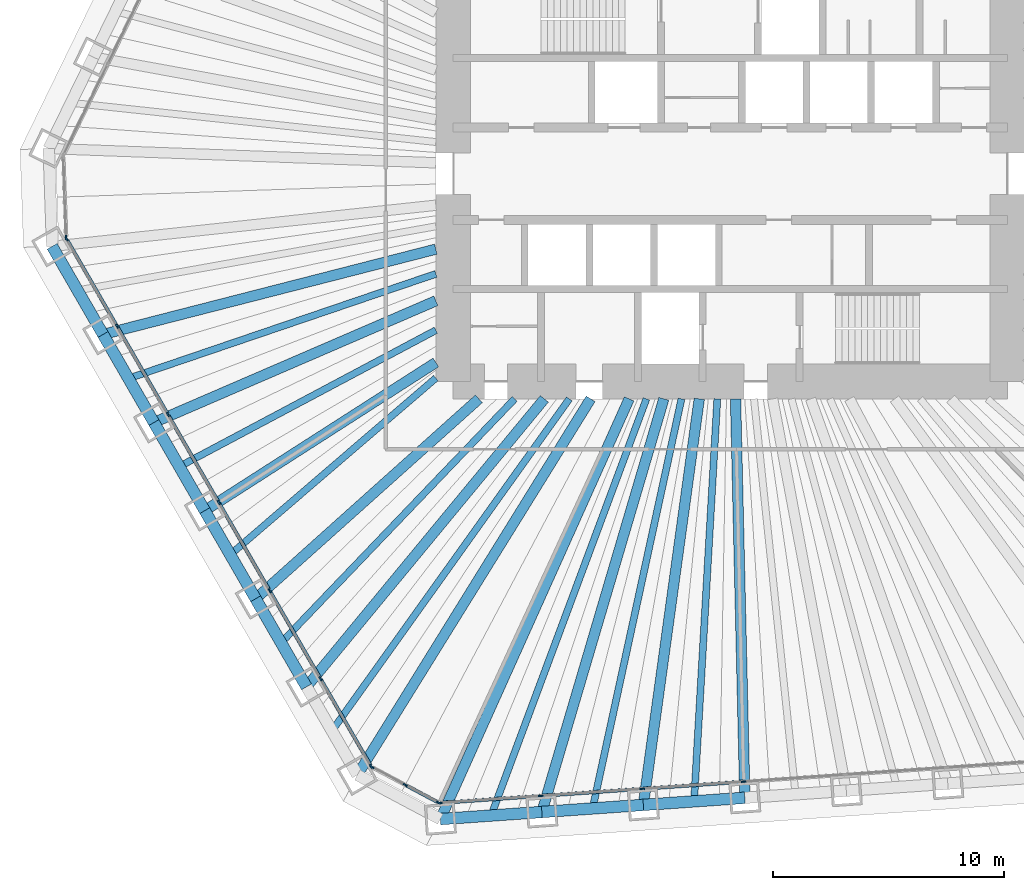
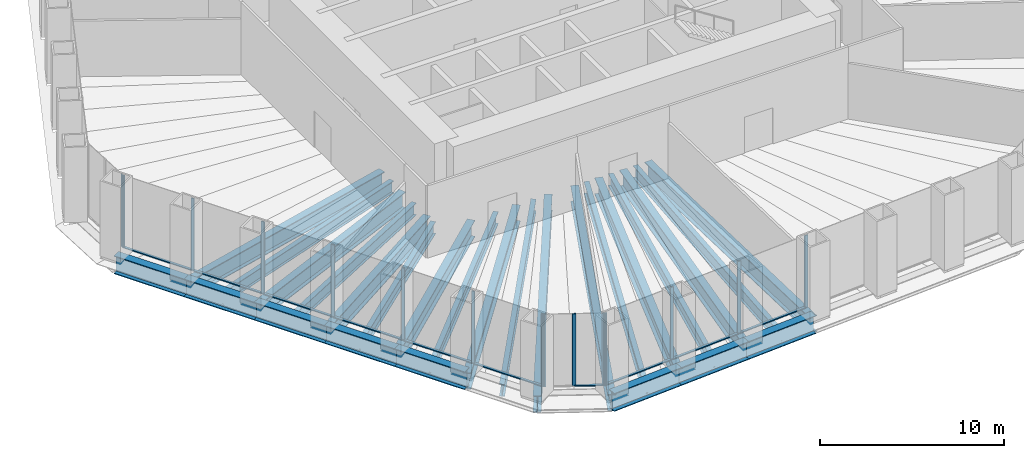
# One storey, part 2 of 14: 26 beams, 25 members, 4 elements without a shape of their own.
"""IFC4 building model written with IfcOpenShell, lengths in metres."""

import ifcopenshell
import ifcopenshell.guid

model = None  # the IFC model being written
_history = None  # IfcOwnerHistory: only IFC2X3 demands one
_inside = {}  # id of a spatial element -> (the spatial element, [elements in it])
_under = {}  # id of a project, library or spatial element -> (it, [spatial elements below it])
_declared = {}  # id of a project -> (the project, [libraries it declares])
_typed = {}  # id of a type object -> (the type object, [elements of that type])
_made_of = {}  # id of a material, layer set ... -> (it, [elements and type objects made of it])


def new_model(schema):
    """Start an empty IFC model of exactly this schema.

    Asked for "IFC4X3", IfcOpenShell would pick the latest addendum, in which some entities
    have other attributes; the version numbers below select the first issue.
    IFC2X3 requires an IfcOwnerHistory on every rooted entity: one is made here for all.
    """
    global model, _history
    if schema == "IFC4X3":
        model = ifcopenshell.file(schema_version=(4, 3, 0, 0))
    else:
        model = ifcopenshell.file(schema=schema)
    _inside.clear()
    _under.clear()
    _declared.clear()
    _typed.clear()
    _made_of.clear()
    _history = None
    if model.schema == "IFC2X3":
        org = make("IfcOrganization", Name="unknown")
        user = make(
            "IfcPersonAndOrganization",
            ThePerson=make("IfcPerson", FamilyName="unknown"),
            TheOrganization=org,
        )
        app = make(
            "IfcApplication",
            ApplicationDeveloper=org,
            Version="unknown",
            ApplicationFullName="unknown",
            ApplicationIdentifier="unknown",
        )
        _history = make(
            "IfcOwnerHistory",
            OwningUser=user,
            OwningApplication=app,
            ChangeAction="ADDED",
            CreationDate=0,
        )
    return model


def make(cls, **values):
    """One entity of the class cls with the attributes given. An attribute that is None is left unset."""
    return model.create_entity(
        cls, **{name: value for name, value in values.items() if value is not None}
    )


def rooted(cls, **values):
    """An entity with a GlobalId (a new one), such as an element, a storey or a relation."""
    return make(cls, GlobalId=ifcopenshell.guid.new(), OwnerHistory=_history, **values)


def si_unit(unit_type, name, prefix=None):
    """IfcSIUnit, for example si_unit("LENGTHUNIT", "METRE", prefix="MILLI")."""
    return make("IfcSIUnit", UnitType=unit_type, Prefix=prefix, Name=name)


def assignment(units):
    """IfcUnitAssignment: the units of a project."""
    return None if units is None else make("IfcUnitAssignment", Units=units)


def point(xyz):
    """IfcCartesianPoint."""
    return None if xyz is None else make("IfcCartesianPoint", Coordinates=xyz)


def direction(xyz):
    """IfcDirection."""
    return None if xyz is None else make("IfcDirection", DirectionRatios=xyz)


def frame(location, z_axis=None, x_axis=None):
    """IfcAxis2Placement3D, a coordinate frame: its origin and axes. An axis left out is left unset."""
    return make(
        "IfcAxis2Placement3D",
        Location=point(location),
        Axis=direction(z_axis),
        RefDirection=direction(x_axis),
    )


def frame_2d(location, x_axis=None):
    """IfcAxis2Placement2D, a coordinate frame in the plane: its origin and x axis."""
    return make(
        "IfcAxis2Placement2D", Location=point(location), RefDirection=direction(x_axis)
    )


def origin():
    """The frame at (0, 0, 0) with its axes left unset."""
    return frame((0.0, 0.0, 0.0))


def origin_2d():
    """The frame at (0, 0) in the plane with its x axis left unset."""
    return frame_2d((0.0, 0.0))


def place(relative_to, where):
    """IfcLocalPlacement: puts the frame where relative to a parent placement (None: the world)."""
    return make(
        "IfcLocalPlacement", PlacementRelTo=relative_to, RelativePlacement=where
    )


def context(
    kind, dimensions, precision=None, world=None, true_north=None, identifier=None
):
    """IfcGeometricRepresentationContext, for example the 3D "Model" context."""
    return make(
        "IfcGeometricRepresentationContext",
        ContextIdentifier=identifier,
        ContextType=kind,
        CoordinateSpaceDimension=dimensions,
        Precision=precision,
        WorldCoordinateSystem=world,
        TrueNorth=true_north,
    )


def subcontext(parent, identifier, kind, view, scale=None):
    """IfcGeometricRepresentationSubContext, for example "Body" below "Model"."""
    return make(
        "IfcGeometricRepresentationSubContext",
        ContextIdentifier=identifier,
        ContextType=kind,
        ParentContext=parent,
        TargetScale=scale,
        TargetView=view,
    )


def project(units=None, contexts=None):
    """IfcProject with its units and contexts."""
    return rooted(
        "IfcProject",
        Name="project",
        RepresentationContexts=contexts,
        UnitsInContext=assignment(units),
    )


def spatial(cls, under=None, at=None, **own):
    """A site, building, storey or space (cls), placed at a placement, below another one or the project."""
    s = rooted(cls, ObjectPlacement=at, **own)
    if under is not None:
        _under.setdefault(under.id(), (under, []))[1].append(s)
    return s


def profile(cls, at=None, kind="AREA", **sizes):
    """A parametric profile (cls). Its sizes go by their IFC names, for example OverallWidth=200.0."""
    return make(cls, ProfileType=kind, Position=at, **sizes)


def rectangle(**sizes):
    """IfcRectangleProfileDef."""
    return profile("IfcRectangleProfileDef", **sizes)


def i_section(**sizes):
    """IfcIShapeProfileDef."""
    return profile("IfcIShapeProfileDef", **sizes)


def extrude(swept, where, along, depth):
    """IfcExtrudedAreaSolid: the profile swept, set in the frame where, extruded along a direction by depth."""
    return make(
        "IfcExtrudedAreaSolid",
        SweptArea=swept,
        Position=where,
        ExtrudedDirection=direction(along),
        Depth=depth,
    )


def shape(context_of_items, identifier, shape_type, items):
    """IfcShapeRepresentation: the items that make up one representation, for example the "Body"."""
    return make(
        "IfcShapeRepresentation",
        ContextOfItems=context_of_items,
        RepresentationIdentifier=identifier,
        RepresentationType=shape_type,
        Items=items,
    )


def material(Name=None, Category=None):
    """IfcMaterial."""
    return make("IfcMaterial", Name=Name, Category=Category)


def material_profile(
    of_material, cross_section, Name=None, Category=None, Priority=None
):
    """IfcMaterialProfile: a cross section and its material."""
    return make(
        "IfcMaterialProfile",
        Name=Name,
        Material=of_material,
        Profile=cross_section,
        Priority=Priority,
        Category=Category,
    )


def profile_set(profiles, Name=None, composite=None):
    """IfcMaterialProfileSet."""
    return make(
        "IfcMaterialProfileSet",
        Name=Name,
        MaterialProfiles=profiles,
        CompositeProfile=composite,
    )


def made_of(thing, what):
    """Note that an element or type object is made of a material, layer set ...; save() writes the relation."""
    if what is not None:
        _made_of.setdefault(what.id(), (what, []))[1].append(thing)
    return thing


def type_object(cls, material=None, **own):
    """A type object (cls), such as IfcWallType, which elements share."""
    return made_of(rooted(cls, **own), material)


def element(
    cls,
    number,
    at=None,
    inside=None,
    cuts=None,
    type_object=None,
    material=None,
    context=None,
    identifier="Body",
    shape_type=None,
    held_by="IfcProductDefinitionShape",
    body=None,
    shapes=None,
    **own,
):
    """One element of the class cls, such as IfcWall. Its Tag is "e" and its number.

    at: its placement. inside: the storey or other place that contains it. cuts: it is an
    opening in that element (IfcRelVoidsElement). A single representation is given by context,
    identifier, shape_type and body (its items); several are given by shapes. held_by: the class
    of the entity that holds the representations. save() writes the other relations.
    """
    e = rooted(cls, Tag="e%d" % number, ObjectPlacement=at, **own)
    if body is not None:
        shapes = [shape(context, identifier, shape_type, body)]
    if shapes is not None:
        e.Representation = make(held_by, Representations=shapes)
    if inside is not None:
        _inside.setdefault(inside.id(), (inside, []))[1].append(e)
    if cuts is not None:
        rooted(
            "IfcRelVoidsElement", RelatingBuildingElement=cuts, RelatedOpeningElement=e
        )
    if type_object is not None:
        _typed.setdefault(type_object.id(), (type_object, []))[1].append(e)
    return made_of(e, material)


def aggregate(whole, parts):
    """IfcRelAggregates: a whole, such as a stair, and the parts it consists of."""
    return rooted("IfcRelAggregates", RelatingObject=whole, RelatedObjects=parts)


def save(model, path):
    """Write the relations noted so far, then the file.

    IfcRelAggregates (storeys below a building ...), IfcRelContainedInSpatialStructure (elements
    in a storey), IfcRelDefinesByType, IfcRelAssociatesMaterial and IfcRelDeclares: one each for
    every whole, place, type object, material and project.
    """
    for whole, parts in _under.values():
        aggregate(whole, parts)
    for where, things in _inside.values():
        rooted(
            "IfcRelContainedInSpatialStructure",
            RelatedElements=things,
            RelatingStructure=where,
        )
    for kind, things in _typed.values():
        rooted("IfcRelDefinesByType", RelatedObjects=things, RelatingType=kind)
    for what, things in _made_of.values():
        rooted("IfcRelAssociatesMaterial", RelatedObjects=things, RelatingMaterial=what)
    for by, libraries in _declared.values():
        rooted("IfcRelDeclares", RelatingContext=by, RelatedDefinitions=libraries)
    model.write(path)


model = new_model("IFC4")

# Units and contexts
model_context = context("Model", 3, precision=1e-05, world=origin(), true_north=direction((0.0, 1.0)))
body_context = subcontext(model_context, "Body", "Model", "MODEL_VIEW")
ifc_project = project(units=[si_unit("LENGTHUNIT", "METRE"), si_unit("AREAUNIT", "SQUARE_METRE"), si_unit("VOLUMEUNIT", "CUBIC_METRE"), si_unit("PLANEANGLEUNIT", "RADIAN"), si_unit("MASSUNIT", "GRAM", prefix="KILO")], contexts=[model_context])

# Site, building, storey
site_placement = place(None, origin())
site = spatial("IfcSite", under=ifc_project, at=site_placement, CompositionType="ELEMENT")
building_placement = place(site_placement, origin())
building = spatial("IfcBuilding", under=site, at=building_placement, Name="Qingtian Harvest Tower", CompositionType="ELEMENT")
storey_placement = place(building_placement, frame((0.0, 0.0, 57.0)))
storey = spatial("IfcBuildingStorey", under=building, at=storey_placement, Name="L11", CompositionType="ELEMENT", Elevation=57.0)

# Beams
ifc_material_1 = material(Name="Steel SM570MC", Category="steel")
ifc_material_profile_1 = material_profile(ifc_material_1, i_section(OverallWidth=0.449951171875, OverallDepth=1.10009765625, WebThickness=0.02197265625, FlangeThickness=0.044921875, at=origin_2d()), Name="H1100x450x22x45")
ifc_profile_set_1 = profile_set([ifc_material_profile_1], Name="Steel SM570MC")
beam_type_1 = type_object("IfcBeamType", Name="Corner floor beam FB8 H1100x450x22x45", PredefinedType="BEAM", material=ifc_profile_set_1)
beam_1_placement = place(storey_placement, frame((-12.552734375, -27.943603515625, -0.75), z_axis=(0.409769605538, 0.912189054077, 0.0), x_axis=(-0.912189054077, 0.409769605538, 0.0)))
element("IfcBeam", 1, at=beam_1_placement, inside=storey, type_object=beam_type_1, Name="Floor beam FB8 S6", PredefinedType="BEAM", context=body_context, shape_type="SweptSolid", body=[
    extrude(i_section(OverallWidth=0.449951171875, OverallDepth=1.10009765625, WebThickness=0.02197265625, FlangeThickness=0.044921875, at=origin_2d()), origin(), (0.0, 0.0, 1.0), 19.945068359375),
])
beam_2_placement = place(storey_placement, frame((-16.14697265625, -26.03271484375, -0.75), z_axis=(0.5270935495, 0.849807266429, 0.0), x_axis=(-0.849807266429, 0.5270935495, 0.0)))
element("IfcBeam", 2, at=beam_2_placement, inside=storey, type_object=beam_type_1, Name="Floor beam FB8 SW0", PredefinedType="BEAM", context=body_context, shape_type="SweptSolid", body=[
    extrude(i_section(OverallWidth=0.449951171875, OverallDepth=1.10009765625, WebThickness=0.02197265625, FlangeThickness=0.044921875, at=origin_2d()), origin(), (0.0, 0.0, 1.0), 19.160400390625),
])
ifc_material_2 = material(Name="Steel SM570MC", Category="steel")
ifc_material_profile_2 = material_profile(ifc_material_2, i_section(OverallWidth=0.449951171875, OverallDepth=1.10009765625, WebThickness=0.02197265625, FlangeThickness=0.044921875, at=origin_2d()), Name="H1100x450x22x45")
ifc_profile_set_2 = profile_set([ifc_material_profile_2], Name="Steel SM570MC")
beam_type_2 = type_object("IfcBeamType", Name="Floor beam FB1 H1100x450x22x45", PredefinedType="BEAM", material=ifc_profile_set_2)
beam_3_placement = place(storey_placement, frame((0.62890625, -27.02197265625, -0.75), z_axis=(-0.023274161941, 0.999729120005, 0.0), x_axis=(-0.999729120005, -0.023274161941, 0.0)))
element("IfcBeam", 3, at=beam_3_placement, inside=storey, type_object=beam_type_2, Name="Floor beam FB1 S3", PredefinedType="BEAM", context=body_context, shape_type="SweptSolid", body=[
    extrude(i_section(OverallWidth=0.449951171875, OverallDepth=1.10009765625, WebThickness=0.02197265625, FlangeThickness=0.044921875, at=origin_2d()), origin(), (0.0, 0.0, 1.0), 17.276611328125),
])
beam_4_placement = place(storey_placement, frame((-3.76513671875, -27.3291015625, -0.75), z_axis=(0.136480966577, 0.990642693287, 0.0), x_axis=(-0.990642693287, 0.136480966577, 0.0)))
element("IfcBeam", 4, at=beam_4_placement, inside=storey, type_object=beam_type_2, Name="Floor beam FB1 S4", PredefinedType="BEAM", context=body_context, shape_type="SweptSolid", body=[
    extrude(i_section(OverallWidth=0.449951171875, OverallDepth=1.10009765625, WebThickness=0.02197265625, FlangeThickness=0.044921875, at=origin_2d()), origin(), (0.0, 0.0, 1.0), 17.7451171875),
])
beam_5_placement = place(storey_placement, frame((-8.158935546875, -27.636474609375, -0.75), z_axis=(0.283142824758, 0.95907775534, 0.0), x_axis=(-0.95907775534, 0.283142824758, 0.0)))
element("IfcBeam", 5, at=beam_5_placement, inside=storey, type_object=beam_type_2, Name="Floor beam FB1 S5", PredefinedType="BEAM", context=body_context, shape_type="SweptSolid", body=[
    extrude(i_section(OverallWidth=0.449951171875, OverallDepth=1.10009765625, WebThickness=0.02197265625, FlangeThickness=0.044921875, at=origin_2d()), origin(), (0.0, 0.0, 1.0), 18.649658203125),
])
beam_6_placement = place(storey_placement, frame((-18.349365234375, -22.21826171875, -0.75), z_axis=(0.636780387972, 0.771045224026, 0.0), x_axis=(-0.771045224026, 0.636780387972, 0.0)))
element("IfcBeam", 6, at=beam_6_placement, inside=storey, type_object=beam_type_2, Name="Floor beam FB1 SW1", PredefinedType="BEAM", context=body_context, shape_type="SweptSolid", body=[
    extrude(i_section(OverallWidth=0.449951171875, OverallDepth=1.10009765625, WebThickness=0.02197265625, FlangeThickness=0.044921875, at=origin_2d()), origin(), (0.0, 0.0, 1.0), 16.170654296875),
])
beam_7_placement = place(storey_placement, frame((-20.551513671875, -18.403564453125, -0.75), z_axis=(0.744965104975, 0.667103434536, 0.0), x_axis=(-0.667103434536, 0.744965104975, 0.0)))
element("IfcBeam", 7, at=beam_7_placement, inside=storey, type_object=beam_type_2, Name="Floor beam FB1 SW2", PredefinedType="BEAM", context=body_context, shape_type="SweptSolid", body=[
    extrude(i_section(OverallWidth=0.449951171875, OverallDepth=1.10009765625, WebThickness=0.02197265625, FlangeThickness=0.044921875, at=origin_2d()), origin(), (0.0, 0.0, 1.0), 12.971923828125),
])
beam_8_placement = place(storey_placement, frame((-22.75390625, -14.589111328125, -0.75), z_axis=(0.841829353865, 0.539743771591, 0.0), x_axis=(-0.539743771591, 0.841829353865, 0.0)))
element("IfcBeam", 8, at=beam_8_placement, inside=storey, type_object=beam_type_2, Name="Floor beam FB1 SW3", PredefinedType="BEAM", context=body_context, shape_type="SweptSolid", body=[
    extrude(i_section(OverallWidth=0.449951171875, OverallDepth=1.10009765625, WebThickness=0.02197265625, FlangeThickness=0.044921875, at=origin_2d()), origin(), (0.0, 0.0, 1.0), 11.883544921875),
])
beam_9_placement = place(storey_placement, frame((-24.9560546875, -10.774658203125, -0.75), z_axis=(0.918083617325, 0.396386770213, 0.0), x_axis=(-0.396386770213, 0.918083617325, 0.0)))
element("IfcBeam", 9, at=beam_9_placement, inside=storey, type_object=beam_type_2, Name="Floor beam FB1 SW4", PredefinedType="BEAM", context=body_context, shape_type="SweptSolid", body=[
    extrude(i_section(OverallWidth=0.449951171875, OverallDepth=1.10009765625, WebThickness=0.02197265625, FlangeThickness=0.044921875, at=origin_2d()), origin(), (0.0, 0.0, 1.0), 13.295166015625),
])
beam_10_placement = place(storey_placement, frame((-27.158447265625, -6.960205078125, -0.75), z_axis=(0.968693729942, 0.248258851947, 0.0), x_axis=(-0.248258851947, 0.968693729942, 0.0)))
element("IfcBeam", 10, at=beam_10_placement, inside=storey, type_object=beam_type_2, Name="Floor beam FB1 SW5", PredefinedType="BEAM", context=body_context, shape_type="SweptSolid", body=[
    extrude(i_section(OverallWidth=0.449951171875, OverallDepth=1.10009765625, WebThickness=0.02197265625, FlangeThickness=0.044921875, at=origin_2d()), origin(), (0.0, 0.0, 1.0), 14.8740234375),
])
ifc_material_3 = material(Name="Steel SN490B", Category="steel")
ifc_material_profile_3 = material_profile(ifc_material_3, i_section(OverallWidth=0.300048828125, OverallDepth=0.800048828125, WebThickness=0.013916015625, FlangeThickness=0.02587890625, at=origin_2d()), Name="H800x300x14x26")
ifc_profile_set_3 = profile_set([ifc_material_profile_3], Name="Steel SN490B")
beam_type_3 = type_object("IfcBeamType", Name="Floor joist J1 H800x300x14x26", PredefinedType="JOIST", material=ifc_profile_set_3)
beam_11_placement = place(storey_placement, frame((-1.568115234375, -27.175537109375, -0.60009765625), z_axis=(0.057613424947, 0.998338967118, 0.0), x_axis=(-0.998338967118, 0.057613424947, 0.0)))
element("IfcBeam", 11, at=beam_11_placement, inside=storey, type_object=beam_type_3, Name="Floor joist J1 S3", PredefinedType="JOIST", context=body_context, shape_type="SweptSolid", body=[
    extrude(i_section(OverallWidth=0.300048828125, OverallDepth=0.800048828125, WebThickness=0.013916015625, FlangeThickness=0.02587890625, at=origin_2d()), origin(), (0.0, 0.0, 1.0), 17.45458984375),
])
beam_12_placement = place(storey_placement, frame((-5.9619140625, -27.48291015625, -0.60009765625), z_axis=(0.211992805661, 0.977271226604, 0.0), x_axis=(-0.977271226604, 0.211992805661, 0.0)))
element("IfcBeam", 12, at=beam_12_placement, inside=storey, type_object=beam_type_3, Name="Floor joist J1 S4", PredefinedType="JOIST", context=body_context, shape_type="SweptSolid", body=[
    extrude(i_section(OverallWidth=0.300048828125, OverallDepth=0.800048828125, WebThickness=0.013916015625, FlangeThickness=0.02587890625, at=origin_2d()), origin(), (0.0, 0.0, 1.0), 18.145263671875),
])
beam_13_placement = place(storey_placement, frame((-10.35595703125, -27.7900390625, -0.60009765625), z_axis=(0.349193741063, 0.937050548905, 0.0), x_axis=(-0.937050548905, 0.349193741063, 0.0)))
element("IfcBeam", 13, at=beam_13_placement, inside=storey, type_object=beam_type_3, Name="Floor joist J1 S5", PredefinedType="JOIST", context=body_context, shape_type="SweptSolid", body=[
    extrude(i_section(OverallWidth=0.300048828125, OverallDepth=0.800048828125, WebThickness=0.013916015625, FlangeThickness=0.02587890625, at=origin_2d()), origin(), (0.0, 0.0, 1.0), 19.251953125),
])
beam_14_placement = place(storey_placement, frame((-17.248046875, -24.12548828125, -0.60009765625), z_axis=(0.581580544546, 0.81348882611, 0.0), x_axis=(-0.81348882611, 0.581580544546, 0.0)))
element("IfcBeam", 14, at=beam_14_placement, inside=storey, type_object=beam_type_3, Name="Floor joist J1 SW0", PredefinedType="JOIST", context=body_context, shape_type="SweptSolid", body=[
    extrude(i_section(OverallWidth=0.300048828125, OverallDepth=0.800048828125, WebThickness=0.013916015625, FlangeThickness=0.02587890625, at=origin_2d()), origin(), (0.0, 0.0, 1.0), 17.67138671875),
])
beam_15_placement = place(storey_placement, frame((-19.450439453125, -20.31103515625, -0.60009765625), z_axis=(0.691639144398, 0.722243237377, 0.0), x_axis=(-0.722243237377, 0.691639144398, 0.0)))
element("IfcBeam", 15, at=beam_15_placement, inside=storey, type_object=beam_type_3, Name="Floor joist J1 SW1", PredefinedType="JOIST", context=body_context, shape_type="SweptSolid", body=[
    extrude(i_section(OverallWidth=0.300048828125, OverallDepth=0.800048828125, WebThickness=0.013916015625, FlangeThickness=0.02587890625, at=origin_2d()), origin(), (0.0, 0.0, 1.0), 14.62255859375),
])
beam_16_placement = place(storey_placement, frame((-21.652587890625, -16.496337890625, -0.60009765625), z_axis=(0.758605680154, 0.651550014994, 0.0), x_axis=(-0.651550014994, 0.758605680154, 0.0)))
element("IfcBeam", 16, at=beam_16_placement, inside=storey, type_object=beam_type_3, Name="Floor joist J1 SW2", PredefinedType="JOIST", context=body_context, shape_type="SweptSolid", body=[
    extrude(i_section(OverallWidth=0.300048828125, OverallDepth=0.800048828125, WebThickness=0.013916015625, FlangeThickness=0.02587890625, at=origin_2d()), origin(), (0.0, 0.0, 1.0), 11.7353515625),
])
beam_17_placement = place(storey_placement, frame((-23.85498046875, -12.681884765625, -0.60009765625), z_axis=(0.882982474604, 0.469405953885, 0.0), x_axis=(-0.469405953885, 0.882982474604, 0.0)))
element("IfcBeam", 17, at=beam_17_placement, inside=storey, type_object=beam_type_3, Name="Floor joist J1 SW3", PredefinedType="JOIST", context=body_context, shape_type="SweptSolid", body=[
    extrude(i_section(OverallWidth=0.300048828125, OverallDepth=0.800048828125, WebThickness=0.013916015625, FlangeThickness=0.02587890625, at=origin_2d()), origin(), (0.0, 0.0, 1.0), 12.57666015625),
])
beam_18_placement = place(storey_placement, frame((-26.057373046875, -8.867431640625, -0.60009765625), z_axis=(0.946684735425, 0.322161468387, 0.0), x_axis=(-0.322161468387, 0.946684735425, 0.0)))
element("IfcBeam", 18, at=beam_18_placement, inside=storey, type_object=beam_type_3, Name="Floor joist J1 SW4", PredefinedType="JOIST", context=body_context, shape_type="SweptSolid", body=[
    extrude(i_section(OverallWidth=0.300048828125, OverallDepth=0.800048828125, WebThickness=0.013916015625, FlangeThickness=0.02587890625, at=origin_2d()), origin(), (0.0, 0.0, 1.0), 14.056884765625),
])

# Curtain wall, members
ifc_material_4 = material(Name="Bronze-anodised aluminium curtain wall", Category="aluminium")
curtain_wall_type = type_object("IfcCurtainWallType", Name="Curtain wall CW2 farm reception", PredefinedType="USERDEFINED", material=ifc_material_4)
curtain_wall_1_placement = place(storey_placement, origin())
curtain_wall_1 = element("IfcCurtainWall", 19, at=curtain_wall_1_placement, inside=storey, type_object=curtain_wall_type, Name="Curtain wall CW2 L11 S0-5", ObjectType="RECESSED CURTAIN WALL", PredefinedType="USERDEFINED")
ifc_material_5 = material(Name="Bronze-anodised aluminium mullion", Category="aluminium")
ifc_material_profile_4 = material_profile(ifc_material_5, rectangle(XDim=0.06494140625, YDim=0.199951171875, at=origin_2d()), Name="AL 65x200")
ifc_profile_set_4 = profile_set([ifc_material_profile_4], Name="Bronze-anodised aluminium mullion")
member_type_1 = type_object("IfcMemberType", Name="Mullion CWM 65x200", PredefinedType="MULLION", material=ifc_profile_set_4)
member_1_placement = place(storey_placement, frame((0.580078125, -26.32373046875, 0.0), z_axis=(0.0, 0.0, 1.0), x_axis=(0.069756473744, -0.99756405026, 0.0)))
member_1 = element("IfcMember", 20, at=member_1_placement, type_object=member_type_1, Name="CW2 mullion 4", PredefinedType="MULLION", context=body_context, shape_type="SweptSolid", body=[
    extrude(rectangle(XDim=0.06494140625, YDim=0.199951171875, at=origin_2d()), origin(), (0.0, 0.0, 1.0), 4.800048828125),
])
member_2_placement = place(storey_placement, frame((-3.81396484375, -26.630859375, 0.0), z_axis=(0.0, 0.0, 1.0), x_axis=(0.069756473744, -0.99756405026, 0.0)))
member_2 = element("IfcMember", 21, at=member_2_placement, type_object=member_type_1, Name="CW2 mullion 5", PredefinedType="MULLION", context=body_context, shape_type="SweptSolid", body=[
    extrude(rectangle(XDim=0.06494140625, YDim=0.199951171875, at=origin_2d()), origin(), (0.0, 0.0, 1.0), 4.800048828125),
])
member_3_placement = place(storey_placement, frame((-8.207763671875, -26.938232421875, 0.0), z_axis=(0.0, 0.0, 1.0), x_axis=(0.069756473744, -0.99756405026, 0.0)))
member_3 = element("IfcMember", 22, at=member_3_placement, type_object=member_type_1, Name="CW2 mullion 6", PredefinedType="MULLION", context=body_context, shape_type="SweptSolid", body=[
    extrude(rectangle(XDim=0.06494140625, YDim=0.199951171875, at=origin_2d()), origin(), (0.0, 0.0, 1.0), 4.800048828125),
])
member_4_placement = place(storey_placement, frame((-12.569091796875, -27.2431640625, 0.0), z_axis=(0.0, 0.0, 1.0), x_axis=(0.069756473744, -0.99756405026, 0.0)))
member_4 = element("IfcMember", 23, at=member_4_placement, type_object=member_type_1, Name="CW2 mullion 7", PredefinedType="MULLION", context=body_context, shape_type="SweptSolid", body=[
    extrude(rectangle(XDim=0.06494140625, YDim=0.199951171875, at=origin_2d()), origin(), (0.0, 0.0, 1.0), 4.800048828125),
])

curtain_wall_2_placement = place(storey_placement, origin())
curtain_wall_2 = element("IfcCurtainWall", 24, at=curtain_wall_2_placement, inside=storey, type_object=curtain_wall_type, Name="Curtain wall CW2 L11 SC", ObjectType="RECESSED CURTAIN WALL", PredefinedType="USERDEFINED")
member_5_placement = place(storey_placement, frame((-12.63037109375, -27.230224609375, 0.0), z_axis=(0.0, 0.0, 1.0), x_axis=(-0.469471562786, -0.882947592859, 0.0)))
member_5 = element("IfcMember", 25, at=member_5_placement, type_object=member_type_1, Name="CW2 mullion 1", PredefinedType="MULLION", context=body_context, shape_type="SweptSolid", body=[
    extrude(rectangle(XDim=0.06494140625, YDim=0.199951171875, at=origin_2d()), origin(), (0.0, 0.0, 1.0), 4.800048828125),
])
member_6_placement = place(storey_placement, frame((-14.0712890625, -26.464111328125, 0.0), z_axis=(0.0, 0.0, 1.0), x_axis=(-0.469471562786, -0.882947592859, 0.0)))
member_6 = element("IfcMember", 26, at=member_6_placement, type_object=member_type_1, Name="CW2 mullion 2", PredefinedType="MULLION", context=body_context, shape_type="SweptSolid", body=[
    extrude(rectangle(XDim=0.06494140625, YDim=0.199951171875, at=origin_2d()), origin(), (0.0, 0.0, 1.0), 4.800048828125),
])
member_7_placement = place(storey_placement, frame((-15.511962890625, -25.697998046875, 0.0), z_axis=(0.0, 0.0, 1.0), x_axis=(-0.469471562786, -0.882947592859, 0.0)))
member_7 = element("IfcMember", 27, at=member_7_placement, type_object=member_type_1, Name="CW2 mullion 3", PredefinedType="MULLION", context=body_context, shape_type="SweptSolid", body=[
    extrude(rectangle(XDim=0.06494140625, YDim=0.199951171875, at=origin_2d()), origin(), (0.0, 0.0, 1.0), 4.800048828125),
])

curtain_wall_3_placement = place(storey_placement, origin())
curtain_wall_3 = element("IfcCurtainWall", 28, at=curtain_wall_3_placement, inside=storey, type_object=curtain_wall_type, Name="Curtain wall CW2 L11 SW0-5", ObjectType="RECESSED CURTAIN WALL", PredefinedType="USERDEFINED")
member_8_placement = place(storey_placement, frame((-15.556884765625, -25.654541015625, 0.0), z_axis=(0.0, 0.0, 1.0), x_axis=(-0.866025403784, -0.5, 0.0)))
member_8 = element("IfcMember", 29, at=member_8_placement, type_object=member_type_1, Name="CW2 mullion 1", PredefinedType="MULLION", context=body_context, shape_type="SweptSolid", body=[
    extrude(rectangle(XDim=0.06494140625, YDim=0.199951171875, at=origin_2d()), origin(), (0.0, 0.0, 1.0), 4.800048828125),
])
member_9_placement = place(storey_placement, frame((-17.742919921875, -21.8681640625, 0.0), z_axis=(0.0, 0.0, 1.0), x_axis=(-0.866025403784, -0.5, 0.0)))
member_9 = element("IfcMember", 30, at=member_9_placement, type_object=member_type_1, Name="CW2 mullion 2", PredefinedType="MULLION", context=body_context, shape_type="SweptSolid", body=[
    extrude(rectangle(XDim=0.06494140625, YDim=0.199951171875, at=origin_2d()), origin(), (0.0, 0.0, 1.0), 4.800048828125),
])
member_10_placement = place(storey_placement, frame((-19.9453125, -18.0537109375, 0.0), z_axis=(0.0, 0.0, 1.0), x_axis=(-0.866025403784, -0.5, 0.0)))
member_10 = element("IfcMember", 31, at=member_10_placement, type_object=member_type_1, Name="CW2 mullion 3", PredefinedType="MULLION", context=body_context, shape_type="SweptSolid", body=[
    extrude(rectangle(XDim=0.06494140625, YDim=0.199951171875, at=origin_2d()), origin(), (0.0, 0.0, 1.0), 4.800048828125),
])
member_11_placement = place(storey_placement, frame((-22.147705078125, -14.2392578125, 0.0), z_axis=(0.0, 0.0, 1.0), x_axis=(-0.866025403784, -0.5, 0.0)))
member_11 = element("IfcMember", 32, at=member_11_placement, type_object=member_type_1, Name="CW2 mullion 4", PredefinedType="MULLION", context=body_context, shape_type="SweptSolid", body=[
    extrude(rectangle(XDim=0.06494140625, YDim=0.199951171875, at=origin_2d()), origin(), (0.0, 0.0, 1.0), 4.800048828125),
])
member_12_placement = place(storey_placement, frame((-24.349853515625, -10.424560546875, 0.0), z_axis=(0.0, 0.0, 1.0), x_axis=(-0.866025403784, -0.5, 0.0)))
member_12 = element("IfcMember", 33, at=member_12_placement, type_object=member_type_1, Name="CW2 mullion 5", PredefinedType="MULLION", context=body_context, shape_type="SweptSolid", body=[
    extrude(rectangle(XDim=0.06494140625, YDim=0.199951171875, at=origin_2d()), origin(), (0.0, 0.0, 1.0), 4.800048828125),
])
member_13_placement = place(storey_placement, frame((-26.55224609375, -6.610107421875, 0.0), z_axis=(0.0, 0.0, 1.0), x_axis=(-0.866025403784, -0.5, 0.0)))
member_13 = element("IfcMember", 34, at=member_13_placement, type_object=member_type_1, Name="CW2 mullion 6", PredefinedType="MULLION", context=body_context, shape_type="SweptSolid", body=[
    extrude(rectangle(XDim=0.06494140625, YDim=0.199951171875, at=origin_2d()), origin(), (0.0, 0.0, 1.0), 4.800048828125),
])
member_14_placement = place(storey_placement, frame((-28.73828125, -2.82373046875, 0.0), z_axis=(0.0, 0.0, 1.0), x_axis=(-0.866025403784, -0.5, 0.0)))
member_14 = element("IfcMember", 35, at=member_14_placement, type_object=member_type_1, Name="CW2 mullion 7", PredefinedType="MULLION", context=body_context, shape_type="SweptSolid", body=[
    extrude(rectangle(XDim=0.06494140625, YDim=0.199951171875, at=origin_2d()), origin(), (0.0, 0.0, 1.0), 4.800048828125),
])

# Curtain wall, member
curtain_wall_4_placement = place(storey_placement, origin())
curtain_wall_4 = element("IfcCurtainWall", 36, at=curtain_wall_4_placement, inside=storey, type_object=curtain_wall_type, Name="Curtain wall CW2 L11 SWC", ObjectType="RECESSED CURTAIN WALL", PredefinedType="USERDEFINED")
member_15_placement = place(storey_placement, frame((-28.755615234375, -2.76318359375, 0.0), z_axis=(0.0, 0.0, 1.0), x_axis=(-0.999390827019, -0.034899496703, 0.0)))
member_15 = element("IfcMember", 37, at=member_15_placement, type_object=member_type_1, Name="CW2 mullion 1", PredefinedType="MULLION", context=body_context, shape_type="SweptSolid", body=[
    extrude(rectangle(XDim=0.06494140625, YDim=0.199951171875, at=origin_2d()), origin(), (0.0, 0.0, 1.0), 4.800048828125),
])
aggregate(curtain_wall_4, [member_15])

# Beams
ifc_material_6 = material(Name="Steel SM570MC", Category="steel")
ifc_material_profile_5 = material_profile(ifc_material_6, i_section(OverallWidth=0.5, OverallDepth=1.199951171875, WebThickness=0.02490234375, FlangeThickness=0.050048828125, at=origin_2d()), Name="H1200x500x25x50")
ifc_profile_set_5 = profile_set([ifc_material_profile_5], Name="Steel SM570MC")
beam_type_4 = type_object("IfcBeamType", Name="Spandrel beam SB1 H1200x500x25x50", PredefinedType="SPANDREL", material=ifc_profile_set_5)
beam_19_placement = place(storey_placement, frame((0.62890625, -27.02197265625, -0.60009765625), z_axis=(-0.997566143208, -0.069726536735, 0.0), x_axis=(0.069726536735, -0.997566143208, 0.0)))
element("IfcBeam", 38, at=beam_19_placement, inside=storey, type_object=beam_type_4, Name="Spandrel SB1 S3", PredefinedType="SPANDREL", context=body_context, shape_type="SweptSolid", body=[
    extrude(i_section(OverallWidth=0.5, OverallDepth=1.199951171875, WebThickness=0.02490234375, FlangeThickness=0.050048828125, at=origin_2d()), origin(), (0.0, 0.0, 1.0), 4.40478515625),
])
for number, where, z_axis, x_axis, name in (
    (39, (-3.76513671875, -27.3291015625, -0.60009765625), (-0.997562016486, -0.069785551967, 0.0), (0.069785551967, -0.997562016486, 0.0), "Spandrel SB1 S4"),
    (40, (-8.158935546875, -27.636474609375, -0.60009765625), (-0.997565873714, -0.069730392239, 0.0), (0.069730392239, -0.997565873714, 0.0), "Spandrel SB1 S5"),
):
    element("IfcBeam", number, at=place(storey_placement, frame(where, z_axis=z_axis, x_axis=x_axis)), inside=storey, type_object=beam_type_4, Name=name, PredefinedType="SPANDREL", context=body_context, shape_type="SweptSolid", body=[
        extrude(i_section(OverallWidth=0.5, OverallDepth=1.199951171875, WebThickness=0.02490234375, FlangeThickness=0.050048828125, at=origin_2d()), origin(), (0.0, 0.0, 1.0), 4.404541015625),
    ])
beam_20_placement = place(storey_placement, frame((-18.349365234375, -22.21826171875, -0.60009765625), z_axis=(-0.499954356739, 0.86605175433, 0.0), x_axis=(-0.86605175433, -0.499954356739, 0.0)))
element("IfcBeam", 41, at=beam_20_placement, inside=storey, type_object=beam_type_4, Name="Spandrel SB1 SW1", PredefinedType="SPANDREL", context=body_context, shape_type="SweptSolid", body=[
    extrude(i_section(OverallWidth=0.5, OverallDepth=1.199951171875, WebThickness=0.02490234375, FlangeThickness=0.050048828125, at=origin_2d()), origin(), (0.0, 0.0, 1.0), 4.40478515625),
])
for number, where, z_axis, x_axis, name in (
    (42, (-20.551513671875, -18.403564453125, -0.60009765625), (-0.50001992892, 0.866013897511, 0.0), (-0.866013897511, -0.50001992892, 0.0), "Spandrel SB1 SW2"),
    (43, (-22.75390625, -14.589111328125, -0.60009765625), (-0.499978356969, 0.866037899034, 0.0), (-0.866037899034, -0.499978356969, 0.0), "Spandrel SB1 SW3"),
    (44, (-24.9560546875, -10.774658203125, -0.60009765625), (-0.50001992892, 0.866013897511, 0.0), (-0.866013897511, -0.50001992892, 0.0), "Spandrel SB1 SW4"),
    (45, (-27.158447265625, -6.960205078125, -0.60009765625), (-0.50001992892, 0.866013897511, 0.0), (-0.866013897511, -0.50001992892, 0.0), "Spandrel SB1 SW5"),
):
    element("IfcBeam", number, at=place(storey_placement, frame(where, z_axis=z_axis, x_axis=x_axis)), inside=storey, type_object=beam_type_4, Name=name, PredefinedType="SPANDREL", context=body_context, shape_type="SweptSolid", body=[
        extrude(i_section(OverallWidth=0.5, OverallDepth=1.199951171875, WebThickness=0.02490234375, FlangeThickness=0.050048828125, at=origin_2d()), origin(), (0.0, 0.0, 1.0), 4.404541015625),
    ])

# Member
ifc_material_7 = material(Name="Bronze-anodised aluminium transom", Category="aluminium")
ifc_material_profile_6 = material_profile(ifc_material_7, rectangle(XDim=0.14990234375, YDim=0.06494140625, at=origin_2d()), Name="AL 65x150")
ifc_profile_set_6 = profile_set([ifc_material_profile_6], Name="Bronze-anodised aluminium transom")
member_type_2 = type_object("IfcMemberType", Name="Transom CWT 65x150", PredefinedType="USERDEFINED", material=ifc_profile_set_6)
member_16_placement = place(storey_placement, frame((0.547607421875, -26.325927734375, 0.032470703125), z_axis=(-0.997563824095, -0.069759707979, 0.0), x_axis=(0.069759707979, -0.997563824095, 0.0)))
member_16 = element("IfcMember", 46, at=member_16_placement, type_object=member_type_2, Name="CW2 transom 4.1", ObjectType="TRANSOM", PredefinedType="USERDEFINED", context=body_context, shape_type="SweptSolid", body=[
    extrude(rectangle(XDim=0.14990234375, YDim=0.06494140625, at=origin_2d()), origin(), (0.0, 0.0, 1.0), 4.339599609375),
])

member_17_placement = place(storey_placement, frame((-3.84619140625, -26.63330078125, 0.032470703125), z_axis=(-0.997567737508, -0.069703723594, 0.0), x_axis=(0.069703723594, -0.997567737508, 0.0)))
member_17 = element("IfcMember", 47, at=member_17_placement, type_object=member_type_2, Name="CW2 transom 5.1", ObjectType="TRANSOM", PredefinedType="USERDEFINED", context=body_context, shape_type="SweptSolid", body=[
    extrude(rectangle(XDim=0.14990234375, YDim=0.06494140625, at=origin_2d()), origin(), (0.0, 0.0, 1.0), 4.339599609375),
])

member_18_placement = place(storey_placement, frame((-8.240234375, -26.9404296875, 0.032470703125), z_axis=(-0.997562637827, -0.069776669536, 0.0), x_axis=(0.069776669536, -0.997562637827, 0.0)))
member_18 = element("IfcMember", 48, at=member_18_placement, type_object=member_type_2, Name="CW2 transom 6.1", ObjectType="TRANSOM", PredefinedType="USERDEFINED", context=body_context, shape_type="SweptSolid", body=[
    extrude(rectangle(XDim=0.14990234375, YDim=0.06494140625, at=origin_2d()), origin(), (0.0, 0.0, 1.0), 4.30712890625),
])

aggregate(curtain_wall_1, [member_1, member_2, member_3, member_4, member_16, member_17, member_18])

member_19_placement = place(storey_placement, frame((-12.658935546875, -27.21484375, 0.032470703125), z_axis=(-0.882960338349, 0.46944759122, 0.0), x_axis=(-0.46944759122, -0.882960338349, 0.0)))
member_19 = element("IfcMember", 49, at=member_19_placement, type_object=member_type_2, Name="CW2 transom 1.1", ObjectType="TRANSOM", PredefinedType="USERDEFINED", context=body_context, shape_type="SweptSolid", body=[
    extrude(rectangle(XDim=0.14990234375, YDim=0.06494140625, at=origin_2d()), origin(), (0.0, 0.0, 1.0), 1.56689453125),
])

aggregate(curtain_wall_2, [member_5, member_6, member_7, member_19])

member_20_placement = place(storey_placement, frame((-15.5732421875, -25.62646484375, 0.032470703125), z_axis=(-0.499985768833, 0.866033619997, 0.0), x_axis=(-0.866033619997, -0.499985768833, 0.0)))
member_20 = element("IfcMember", 50, at=member_20_placement, type_object=member_type_2, Name="CW2 transom 1.1", ObjectType="TRANSOM", PredefinedType="USERDEFINED", context=body_context, shape_type="SweptSolid", body=[
    extrude(rectangle(XDim=0.14990234375, YDim=0.06494140625, at=origin_2d()), origin(), (0.0, 0.0, 1.0), 4.307373046875),
])

member_21_placement = place(storey_placement, frame((-17.75927734375, -21.840087890625, 0.032470703125), z_axis=(-0.500011390128, 0.866018827591, 0.0), x_axis=(-0.866018827591, -0.500011390128, 0.0)))
member_21 = element("IfcMember", 51, at=member_21_placement, type_object=member_type_2, Name="CW2 transom 2.1", ObjectType="TRANSOM", PredefinedType="USERDEFINED", context=body_context, shape_type="SweptSolid", body=[
    extrude(rectangle(XDim=0.14990234375, YDim=0.06494140625, at=origin_2d()), origin(), (0.0, 0.0, 1.0), 4.33984375),
])

member_22_placement = place(storey_placement, frame((-19.961669921875, -18.025634765625, 0.032470703125), z_axis=(-0.499969196308, 0.866043187574, 0.0), x_axis=(-0.866043187574, -0.499969196308, 0.0)))
member_22 = element("IfcMember", 52, at=member_22_placement, type_object=member_type_2, Name="CW2 transom 3.1", ObjectType="TRANSOM", PredefinedType="USERDEFINED", context=body_context, shape_type="SweptSolid", body=[
    extrude(rectangle(XDim=0.14990234375, YDim=0.06494140625, at=origin_2d()), origin(), (0.0, 0.0, 1.0), 4.339599609375),
])

member_23_placement = place(storey_placement, frame((-22.163818359375, -14.2109375, 0.032470703125), z_axis=(-0.500035751442, 0.866004761696, 0.0), x_axis=(-0.866004761696, -0.500035751442, 0.0)))
member_23 = element("IfcMember", 53, at=member_23_placement, type_object=member_type_2, Name="CW2 transom 4.1", ObjectType="TRANSOM", PredefinedType="USERDEFINED", context=body_context, shape_type="SweptSolid", body=[
    extrude(rectangle(XDim=0.14990234375, YDim=0.06494140625, at=origin_2d()), origin(), (0.0, 0.0, 1.0), 4.339599609375),
])

member_24_placement = place(storey_placement, frame((-24.3662109375, -10.396484375, 0.032470703125), z_axis=(-0.499993556937, 0.866029123656, 0.0), x_axis=(-0.866029123656, -0.499993556937, 0.0)))
member_24 = element("IfcMember", 54, at=member_24_placement, type_object=member_type_2, Name="CW2 transom 5.1", ObjectType="TRANSOM", PredefinedType="USERDEFINED", context=body_context, shape_type="SweptSolid", body=[
    extrude(rectangle(XDim=0.14990234375, YDim=0.06494140625, at=origin_2d()), origin(), (0.0, 0.0, 1.0), 4.33935546875),
])

member_25_placement = place(storey_placement, frame((-26.568603515625, -6.58203125, 0.032470703125), z_axis=(-0.499967798808, 0.866043994353, 0.0), x_axis=(-0.866043994353, -0.499967798808, 0.0)))
member_25 = element("IfcMember", 55, at=member_25_placement, type_object=member_type_2, Name="CW2 transom 6.1", ObjectType="TRANSOM", PredefinedType="USERDEFINED", context=body_context, shape_type="SweptSolid", body=[
    extrude(rectangle(XDim=0.14990234375, YDim=0.06494140625, at=origin_2d()), origin(), (0.0, 0.0, 1.0), 4.306884765625),
])

aggregate(curtain_wall_3, [member_8, member_9, member_10, member_11, member_12, member_13, member_14, member_20, member_21, member_22, member_23, member_24, member_25])

save(model, "model.ifc")
